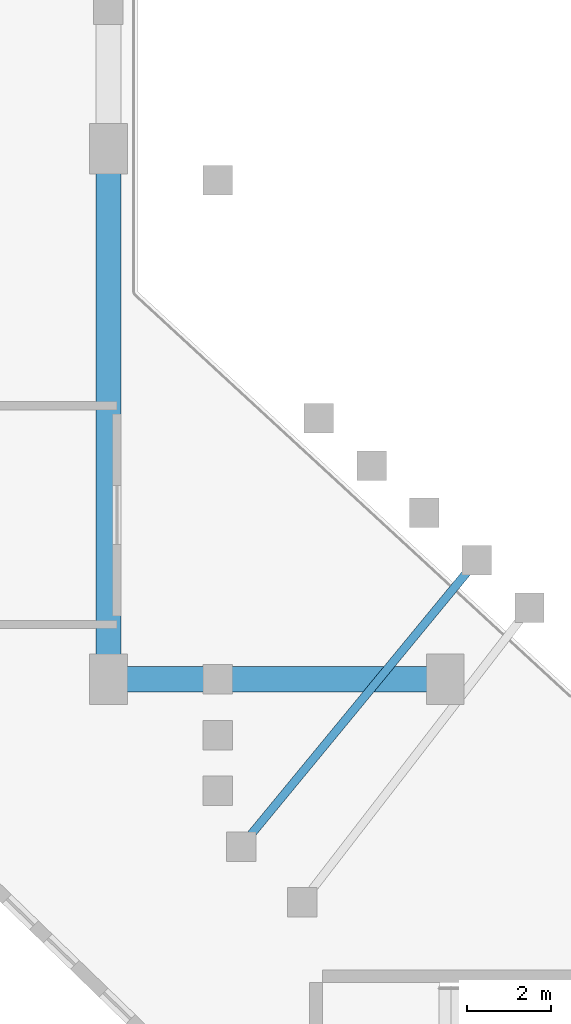
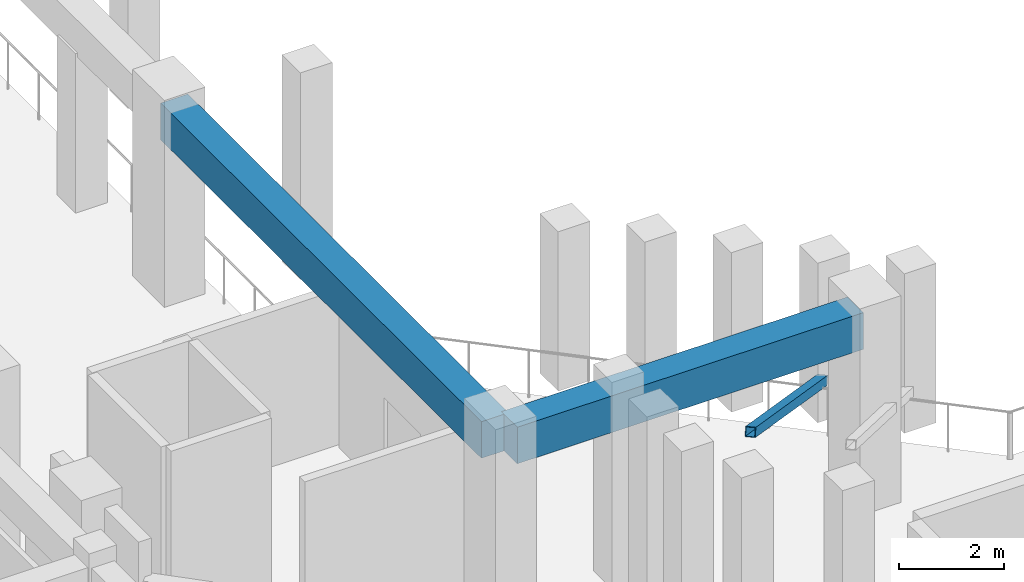
# One storey, part 23 of 126: 2 beams, 1 member.
"""IFC4 building model written with IfcOpenShell, lengths in metres."""

from ifc_helpers import new_model, si_unit, derived_unit, direction, frame, origin, origin_2d, place, context, subcontext, project, spatial, rectangle, hollow_rectangle, extrude, material, material_profile, profile_set, type_object, element, save


model = new_model("IFC4")

# Units and contexts
model_context = context("Model", 3, precision=1e-05, world=origin(), true_north=direction((0.0, 1.0)))
body_context = subcontext(model_context, "Body", "Model", "MODEL_VIEW")
ifc_project = project(units=[si_unit("LENGTHUNIT", "METRE"), si_unit("AREAUNIT", "SQUARE_METRE"), si_unit("VOLUMEUNIT", "CUBIC_METRE"), si_unit("PLANEANGLEUNIT", "RADIAN"), si_unit("MASSUNIT", "GRAM", prefix="KILO"), derived_unit("THERMALTRANSMITTANCEUNIT", [(si_unit("MASSUNIT", "GRAM", prefix="KILO"), 1), (si_unit("TIMEUNIT", "SECOND"), -3), (si_unit("THERMODYNAMICTEMPERATUREUNIT", "KELVIN"), -1)])], contexts=[model_context])

# Site, building, storey
site_placement = place(None, origin())
site = spatial("IfcSite", under=ifc_project, at=site_placement, CompositionType="ELEMENT")
building_placement = place(site_placement, origin())
building = spatial("IfcBuilding", under=site, at=building_placement, Name="Valcora Ridge Arena", CompositionType="ELEMENT")
storey_placement = place(building_placement, frame((0.0, 0.0, 11.39990234375)))
storey = spatial("IfcBuildingStorey", under=building, at=storey_placement, Name="L02", CompositionType="ELEMENT", Elevation=11.39990234375)

# Beams
ifc_material_1 = material(Name="Concrete C40/50", Category="concrete")
ifc_material_profile_1 = material_profile(ifc_material_1, rectangle(XDim=0.60009765625, YDim=0.85009765625, at=origin_2d()), Name="RC 600x850")
ifc_profile_set_1 = profile_set([ifc_material_profile_1], Name="Concrete C40/50")
beam_type_1 = type_object("IfcBeamType", Name="TY-BEAM-B-RC600-Y", PredefinedType="BEAM", material=ifc_profile_set_1)
beam_1_placement = place(storey_placement, frame((24.0, 32.800048828125, 4.025146484375), z_axis=(0.0, 1.0, 0.0), x_axis=(-1.0, 0.0, 0.0)))
element("IfcBeam", 1, at=beam_1_placement, inside=storey, type_object=beam_type_1, Name="B-RC600-Y BEM-B-RC600-Y-0016", PredefinedType="BEAM", context=body_context, shape_type="SweptSolid", body=[
    extrude(rectangle(XDim=0.60009765625, YDim=0.85009765625, at=origin_2d()), origin(), (0.0, 0.0, 1.0), 12.199951171875),
])
ifc_material_profile_2 = material_profile(ifc_material_1, rectangle(XDim=0.60009765625, YDim=0.85009765625, at=origin_2d()), Name="RC 600x850")
ifc_profile_set_2 = profile_set([ifc_material_profile_2], Name="Concrete C40/50")
beam_type_2 = type_object("IfcBeamType", Name="TY-BEAM-EB-RC600", PredefinedType="BEAM", material=ifc_profile_set_2)
beam_2_placement = place(storey_placement, frame((24.199951171875, 32.60009765625, 4.025146484375), z_axis=(1.0, 0.0, 0.0), x_axis=(0.0, 1.0, 0.0)))
element("IfcBeam", 2, at=beam_2_placement, inside=storey, type_object=beam_type_2, Name="EB-RC600 BEM-EB-RC600-0031", PredefinedType="BEAM", context=body_context, shape_type="SweptSolid", body=[
    extrude(rectangle(XDim=0.60009765625, YDim=0.85009765625, at=origin_2d()), origin(), (0.0, 0.0, 1.0), 7.60009765625),
])

# Member
ifc_material_2 = material(Name="Steel ASTM A500 Grade C", Category="steel")
ifc_material_profile_3 = material_profile(ifc_material_2, hollow_rectangle(XDim=0.199951171875, YDim=0.199951171875, WallThickness=0.012451171875, at=origin_2d()), Name="HSS200X200X12")
ifc_profile_set_3 = profile_set([ifc_material_profile_3], Name="Steel ASTM A500 Grade C")
member_type = type_object("IfcMemberType", Name="TY-MEMBER-RKRUD-200", PredefinedType="BRACE", material=ifc_profile_set_3)
member_placement = place(storey_placement, frame((32.59375, 35.235107421875, 0.833984375), z_axis=(-0.558208565242, -0.677830209573, 0.478486577326), x_axis=(0.771932777545, -0.635704166222, 0.0)))
element("IfcMember", 3, at=member_placement, inside=storey, type_object=member_type, Name="RKRUD-200 Raker Diagonal Brace", PredefinedType="BRACE", context=body_context, shape_type="SweptSolid", body=[
    extrude(hollow_rectangle(XDim=0.199951171875, YDim=0.199951171875, WallThickness=0.012451171875, at=origin_2d()), origin(), (0.0, 0.0, 1.0), 9.471923828125),
])

save(model, "model.ifc")
